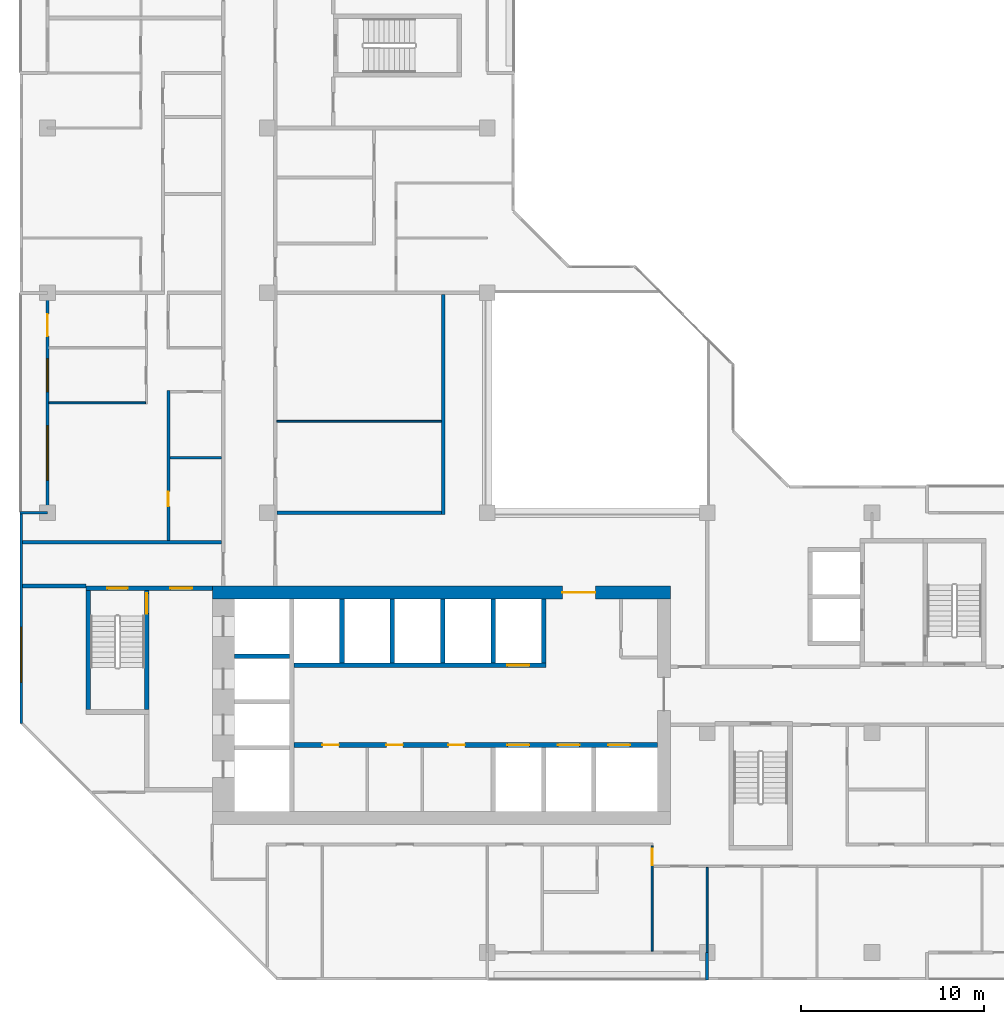
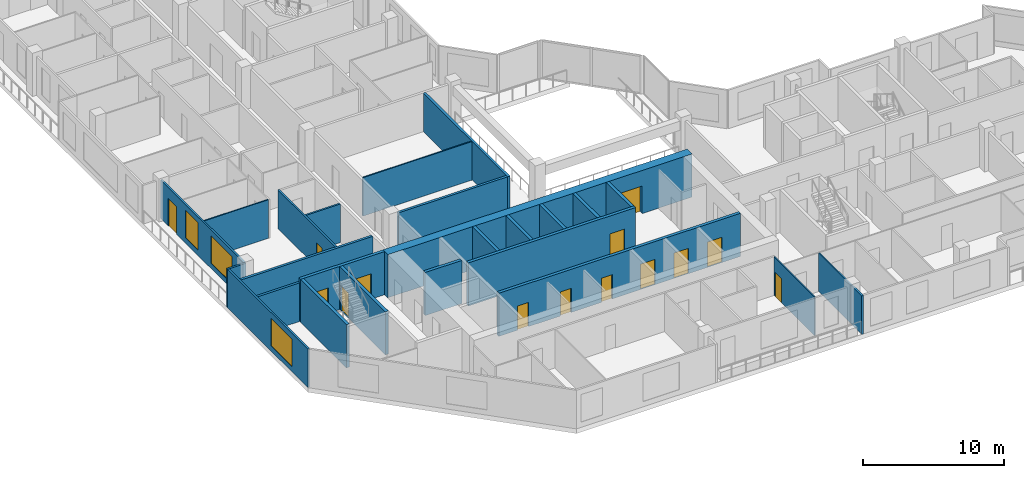
# One storey, part 5 of 14: 26 walls, 14 doors, 3 windows, 17 openings.
"""IFC4 building model written with IfcOpenShell, lengths in metres."""

import ifcopenshell
import ifcopenshell.guid

model = None  # the IFC model being written
_history = None  # IfcOwnerHistory: only IFC2X3 demands one
_inside = {}  # id of a spatial element -> (the spatial element, [elements in it])
_under = {}  # id of a project, library or spatial element -> (it, [spatial elements below it])
_declared = {}  # id of a project -> (the project, [libraries it declares])
_typed = {}  # id of a type object -> (the type object, [elements of that type])
_made_of = {}  # id of a material, layer set ... -> (it, [elements and type objects made of it])


def new_model(schema):
    """Start an empty IFC model of exactly this schema.

    Asked for "IFC4X3", IfcOpenShell would pick the latest addendum, in which some entities
    have other attributes; the version numbers below select the first issue.
    IFC2X3 requires an IfcOwnerHistory on every rooted entity: one is made here for all.
    """
    global model, _history
    if schema == "IFC4X3":
        model = ifcopenshell.file(schema_version=(4, 3, 0, 0))
    else:
        model = ifcopenshell.file(schema=schema)
    _inside.clear()
    _under.clear()
    _declared.clear()
    _typed.clear()
    _made_of.clear()
    _history = None
    if model.schema == "IFC2X3":
        org = make("IfcOrganization", Name="unknown")
        user = make(
            "IfcPersonAndOrganization",
            ThePerson=make("IfcPerson", FamilyName="unknown"),
            TheOrganization=org,
        )
        app = make(
            "IfcApplication",
            ApplicationDeveloper=org,
            Version="unknown",
            ApplicationFullName="unknown",
            ApplicationIdentifier="unknown",
        )
        _history = make(
            "IfcOwnerHistory",
            OwningUser=user,
            OwningApplication=app,
            ChangeAction="ADDED",
            CreationDate=0,
        )
    return model


def make(cls, **values):
    """One entity of the class cls with the attributes given. An attribute that is None is left unset."""
    return model.create_entity(
        cls, **{name: value for name, value in values.items() if value is not None}
    )


def rooted(cls, **values):
    """An entity with a GlobalId (a new one), such as an element, a storey or a relation."""
    return make(cls, GlobalId=ifcopenshell.guid.new(), OwnerHistory=_history, **values)


def si_unit(unit_type, name, prefix=None):
    """IfcSIUnit, for example si_unit("LENGTHUNIT", "METRE", prefix="MILLI")."""
    return make("IfcSIUnit", UnitType=unit_type, Prefix=prefix, Name=name)


def assignment(units):
    """IfcUnitAssignment: the units of a project."""
    return None if units is None else make("IfcUnitAssignment", Units=units)


def point(xyz):
    """IfcCartesianPoint."""
    return None if xyz is None else make("IfcCartesianPoint", Coordinates=xyz)


def direction(xyz):
    """IfcDirection."""
    return None if xyz is None else make("IfcDirection", DirectionRatios=xyz)


def frame(location, z_axis=None, x_axis=None):
    """IfcAxis2Placement3D, a coordinate frame: its origin and axes. An axis left out is left unset."""
    return make(
        "IfcAxis2Placement3D",
        Location=point(location),
        Axis=direction(z_axis),
        RefDirection=direction(x_axis),
    )


def frame_2d(location, x_axis=None):
    """IfcAxis2Placement2D, a coordinate frame in the plane: its origin and x axis."""
    return make(
        "IfcAxis2Placement2D", Location=point(location), RefDirection=direction(x_axis)
    )


def origin():
    """The frame at (0, 0, 0) with its axes left unset."""
    return frame((0.0, 0.0, 0.0))


def place(relative_to, where):
    """IfcLocalPlacement: puts the frame where relative to a parent placement (None: the world)."""
    return make(
        "IfcLocalPlacement", PlacementRelTo=relative_to, RelativePlacement=where
    )


def context(
    kind, dimensions, precision=None, world=None, true_north=None, identifier=None
):
    """IfcGeometricRepresentationContext, for example the 3D "Model" context."""
    return make(
        "IfcGeometricRepresentationContext",
        ContextIdentifier=identifier,
        ContextType=kind,
        CoordinateSpaceDimension=dimensions,
        Precision=precision,
        WorldCoordinateSystem=world,
        TrueNorth=true_north,
    )


def subcontext(parent, identifier, kind, view, scale=None):
    """IfcGeometricRepresentationSubContext, for example "Body" below "Model"."""
    return make(
        "IfcGeometricRepresentationSubContext",
        ContextIdentifier=identifier,
        ContextType=kind,
        ParentContext=parent,
        TargetScale=scale,
        TargetView=view,
    )


def project(units=None, contexts=None):
    """IfcProject with its units and contexts."""
    return rooted(
        "IfcProject",
        Name="project",
        RepresentationContexts=contexts,
        UnitsInContext=assignment(units),
    )


def spatial(cls, under=None, at=None, **own):
    """A site, building, storey or space (cls), placed at a placement, below another one or the project."""
    s = rooted(cls, ObjectPlacement=at, **own)
    if under is not None:
        _under.setdefault(under.id(), (under, []))[1].append(s)
    return s


def profile(cls, at=None, kind="AREA", **sizes):
    """A parametric profile (cls). Its sizes go by their IFC names, for example OverallWidth=200.0."""
    return make(cls, ProfileType=kind, Position=at, **sizes)


def rectangle(**sizes):
    """IfcRectangleProfileDef."""
    return profile("IfcRectangleProfileDef", **sizes)


def extrude(swept, where, along, depth):
    """IfcExtrudedAreaSolid: the profile swept, set in the frame where, extruded along a direction by depth."""
    return make(
        "IfcExtrudedAreaSolid",
        SweptArea=swept,
        Position=where,
        ExtrudedDirection=direction(along),
        Depth=depth,
    )


def shape(context_of_items, identifier, shape_type, items):
    """IfcShapeRepresentation: the items that make up one representation, for example the "Body"."""
    return make(
        "IfcShapeRepresentation",
        ContextOfItems=context_of_items,
        RepresentationIdentifier=identifier,
        RepresentationType=shape_type,
        Items=items,
    )


def material(Name=None, Category=None):
    """IfcMaterial."""
    return make("IfcMaterial", Name=Name, Category=Category)


def layer(
    of_material, thickness, ventilated=None, Name=None, Category=None, Priority=None
):
    """IfcMaterialLayer: one layer of a wall or slab, of a material (None: an air gap)."""
    return make(
        "IfcMaterialLayer",
        Material=of_material,
        LayerThickness=thickness,
        IsVentilated=ventilated,
        Name=Name,
        Category=Category,
        Priority=Priority,
    )


def layer_set(layers, Name=None):
    """IfcMaterialLayerSet."""
    return make("IfcMaterialLayerSet", MaterialLayers=layers, LayerSetName=Name)


def made_of(thing, what):
    """Note that an element or type object is made of a material, layer set ...; save() writes the relation."""
    if what is not None:
        _made_of.setdefault(what.id(), (what, []))[1].append(thing)
    return thing


def type_object(cls, material=None, **own):
    """A type object (cls), such as IfcWallType, which elements share."""
    return made_of(rooted(cls, **own), material)


def element(
    cls,
    number,
    at=None,
    inside=None,
    cuts=None,
    type_object=None,
    material=None,
    context=None,
    identifier="Body",
    shape_type=None,
    held_by="IfcProductDefinitionShape",
    body=None,
    shapes=None,
    **own,
):
    """One element of the class cls, such as IfcWall. Its Tag is "e" and its number.

    at: its placement. inside: the storey or other place that contains it. cuts: it is an
    opening in that element (IfcRelVoidsElement). A single representation is given by context,
    identifier, shape_type and body (its items); several are given by shapes. held_by: the class
    of the entity that holds the representations. save() writes the other relations.
    """
    e = rooted(cls, Tag="e%d" % number, ObjectPlacement=at, **own)
    if body is not None:
        shapes = [shape(context, identifier, shape_type, body)]
    if shapes is not None:
        e.Representation = make(held_by, Representations=shapes)
    if inside is not None:
        _inside.setdefault(inside.id(), (inside, []))[1].append(e)
    if cuts is not None:
        rooted(
            "IfcRelVoidsElement", RelatingBuildingElement=cuts, RelatedOpeningElement=e
        )
    if type_object is not None:
        _typed.setdefault(type_object.id(), (type_object, []))[1].append(e)
    return made_of(e, material)


def fill(opening, filler):
    """IfcRelFillsElement: the door or window that sits in an opening."""
    return rooted(
        "IfcRelFillsElement",
        RelatingOpeningElement=opening,
        RelatedBuildingElement=filler,
    )


def aggregate(whole, parts):
    """IfcRelAggregates: a whole, such as a stair, and the parts it consists of."""
    return rooted("IfcRelAggregates", RelatingObject=whole, RelatedObjects=parts)


def save(model, path):
    """Write the relations noted so far, then the file.

    IfcRelAggregates (storeys below a building ...), IfcRelContainedInSpatialStructure (elements
    in a storey), IfcRelDefinesByType, IfcRelAssociatesMaterial and IfcRelDeclares: one each for
    every whole, place, type object, material and project.
    """
    for whole, parts in _under.values():
        aggregate(whole, parts)
    for where, things in _inside.values():
        rooted(
            "IfcRelContainedInSpatialStructure",
            RelatedElements=things,
            RelatingStructure=where,
        )
    for kind, things in _typed.values():
        rooted("IfcRelDefinesByType", RelatedObjects=things, RelatingType=kind)
    for what, things in _made_of.values():
        rooted("IfcRelAssociatesMaterial", RelatedObjects=things, RelatingMaterial=what)
    for by, libraries in _declared.values():
        rooted("IfcRelDeclares", RelatingContext=by, RelatedDefinitions=libraries)
    model.write(path)


model = new_model("IFC4")

# Units and contexts
model_context = context("Model", 3, precision=1e-05, world=origin(), true_north=direction((0.0, 1.0)))
body_context = subcontext(model_context, "Body", "Model", "MODEL_VIEW")
ifc_project = project(units=[si_unit("LENGTHUNIT", "METRE"), si_unit("AREAUNIT", "SQUARE_METRE"), si_unit("VOLUMEUNIT", "CUBIC_METRE"), si_unit("PLANEANGLEUNIT", "RADIAN"), si_unit("MASSUNIT", "GRAM", prefix="KILO")], contexts=[model_context])

# Site, building, storey
site_placement = place(None, origin())
site = spatial("IfcSite", under=ifc_project, at=site_placement, CompositionType="ELEMENT")
building_placement = place(site_placement, origin())
building = spatial("IfcBuilding", under=site, at=building_placement, Name="Chenar Terraces", CompositionType="ELEMENT")
storey_placement = place(building_placement, frame((0.0, 0.0, 237.89990234375)))
storey = spatial("IfcBuildingStorey", under=building, at=storey_placement, Name="L56", CompositionType="ELEMENT", Elevation=237.89990234375)

# Wall, openings, doors
ifc_material_1 = material(Name="Concrete C60/75", Category="concrete")
ifc_layer_1 = layer(ifc_material_1, 0.25)
ifc_layer_set_1 = layer_set([ifc_layer_1], Name="Concrete C60/75")
wall_type_1 = type_object("IfcWallType", Name="Core wall 250 Concrete C60/75", PredefinedType="SHEAR", material=ifc_layer_set_1)
wall_1_placement = place(storey_placement, frame((13.449951171875, 11.324951171875, 0.0), z_axis=(0.0, 0.0, 1.0), x_axis=(1.0, 0.0, 0.0)))
wall_1 = element("IfcWall", 1, at=wall_1_placement, inside=storey, type_object=wall_type_1, Name="Core wall SF L56", PredefinedType="SHEAR", context=body_context, shape_type="SweptSolid", body=[
    extrude(rectangle(XDim=19.85009765625, YDim=0.25, at=frame_2d((9.925048828125, 0.0))), origin(), (0.0, 0.0, 1.0), 3.75),
])
opening_1_placement = place(wall_1_placement, frame((11.64990234375, 0.0, 0.0)))
opening_1 = element("IfcOpeningElement", 2, at=opening_1_placement, cuts=wall_1, Name="Opening DL56-LD1", PredefinedType="OPENING", context=body_context, shape_type="SweptSolid", body=[
    extrude(rectangle(XDim=1.199951171875, YDim=2.199951171875, at=frame_2d((0.60009765625, 1.10009765625))), frame((0.0, 0.135009765625, 0.0), z_axis=(0.0, -1.0, 0.0), x_axis=(1.0, 0.0, 0.0)), (0.0, 0.0, 1.0), 0.27001953125),
])
opening_2_placement = place(wall_1_placement, frame((14.39990234375, 0.0, 0.0)))
opening_2 = element("IfcOpeningElement", 3, at=opening_2_placement, cuts=wall_1, Name="Opening DL56-LD2", PredefinedType="OPENING", context=body_context, shape_type="SweptSolid", body=[
    extrude(rectangle(XDim=1.199951171875, YDim=2.199951171875, at=frame_2d((0.60009765625, 1.10009765625))), frame((0.0, 0.135009765625, 0.0), z_axis=(0.0, -1.0, 0.0), x_axis=(1.0, 0.0, 0.0)), (0.0, 0.0, 1.0), 0.27001953125),
])
opening_3_placement = place(wall_1_placement, frame((17.14990234375, 0.0, 0.0)))
opening_3 = element("IfcOpeningElement", 4, at=opening_3_placement, cuts=wall_1, Name="Opening DL56-LD3", PredefinedType="OPENING", context=body_context, shape_type="SweptSolid", body=[
    extrude(rectangle(XDim=1.199951171875, YDim=2.199951171875, at=frame_2d((0.60009765625, 1.10009765625))), frame((0.0, 0.135009765625, 0.0), z_axis=(0.0, -1.0, 0.0), x_axis=(1.0, 0.0, 0.0)), (0.0, 0.0, 1.0), 0.27001953125),
])
opening_4_placement = place(wall_1_placement, frame((1.550048828125, 0.0, 0.0)))
opening_4 = element("IfcOpeningElement", 5, at=opening_4_placement, cuts=wall_1, Name="Opening DL56-C12", PredefinedType="OPENING", context=body_context, shape_type="SweptSolid", body=[
    extrude(rectangle(XDim=0.89990234375, YDim=2.10009765625, at=frame_2d((0.449951171875, 1.050048828125))), frame((0.0, 0.135009765625, 0.0), z_axis=(0.0, -1.0, 0.0), x_axis=(1.0, 0.0, 0.0)), (0.0, 0.0, 1.0), 0.27001953125),
])
opening_5_placement = place(wall_1_placement, frame((5.050048828125, 0.0, 0.0)))
opening_5 = element("IfcOpeningElement", 6, at=opening_5_placement, cuts=wall_1, Name="Opening DL56-C13", PredefinedType="OPENING", context=body_context, shape_type="SweptSolid", body=[
    extrude(rectangle(XDim=0.89990234375, YDim=2.10009765625, at=frame_2d((0.449951171875, 1.050048828125))), frame((0.0, 0.135009765625, 0.0), z_axis=(0.0, -1.0, 0.0), x_axis=(1.0, 0.0, 0.0)), (0.0, 0.0, 1.0), 0.27001953125),
])
opening_6_placement = place(wall_1_placement, frame((8.425048828125, 0.0, 0.0)))
opening_6 = element("IfcOpeningElement", 7, at=opening_6_placement, cuts=wall_1, Name="Opening DL56-C14", PredefinedType="OPENING", context=body_context, shape_type="SweptSolid", body=[
    extrude(rectangle(XDim=0.89990234375, YDim=2.10009765625, at=frame_2d((0.449951171875, 1.050048828125))), frame((0.0, 0.135009765625, 0.0), z_axis=(0.0, -1.0, 0.0), x_axis=(1.0, 0.0, 0.0)), (0.0, 0.0, 1.0), 0.27001953125),
])
ifc_material_2 = material(Name="Stainless steel", Category="steel")
door_type_1 = type_object("IfcDoorType", Name="Lift landing door 1200 x 2200 sliding", OperationType="DOUBLE_DOOR_SLIDING", PredefinedType="DOOR", material=ifc_material_2)
door_1_placement = place(opening_1_placement, origin())
door_1 = element("IfcDoor", 8, at=door_1_placement, inside=storey, type_object=door_type_1, Name="Landing door M1", OperationType="DOUBLE_DOOR_SLIDING", OverallHeight=2.199951171875, OverallWidth=1.199951171875, PredefinedType="DOOR", context=body_context, shape_type="SweptSolid", body=[
    extrude(rectangle(XDim=1.199951171875, YDim=2.199951171875, at=frame_2d((0.60009765625, 1.10009765625))), frame((0.0, 0.02490234375, 0.0), z_axis=(0.0, -1.0, 0.0), x_axis=(1.0, 0.0, 0.0)), (0.0, 0.0, 1.0), 0.050048828125),
])
fill(opening_1, door_1)
door_2_placement = place(opening_2_placement, origin())
door_2 = element("IfcDoor", 9, at=door_2_placement, inside=storey, type_object=door_type_1, Name="Landing door M2", OperationType="DOUBLE_DOOR_SLIDING", OverallHeight=2.199951171875, OverallWidth=1.199951171875, PredefinedType="DOOR", context=body_context, shape_type="SweptSolid", body=[
    extrude(rectangle(XDim=1.199951171875, YDim=2.199951171875, at=frame_2d((0.60009765625, 1.10009765625))), frame((0.0, 0.02490234375, 0.0), z_axis=(0.0, -1.0, 0.0), x_axis=(1.0, 0.0, 0.0)), (0.0, 0.0, 1.0), 0.050048828125),
])
fill(opening_2, door_2)
door_3_placement = place(opening_3_placement, origin())
door_3 = element("IfcDoor", 10, at=door_3_placement, inside=storey, type_object=door_type_1, Name="Landing door M3", OperationType="DOUBLE_DOOR_SLIDING", OverallHeight=2.199951171875, OverallWidth=1.199951171875, PredefinedType="DOOR", context=body_context, shape_type="SweptSolid", body=[
    extrude(rectangle(XDim=1.199951171875, YDim=2.199951171875, at=frame_2d((0.60009765625, 1.10009765625))), frame((0.0, 0.02490234375, 0.0), z_axis=(0.0, -1.0, 0.0), x_axis=(1.0, 0.0, 0.0)), (0.0, 0.0, 1.0), 0.050048828125),
])
fill(opening_3, door_3)
ifc_material_3 = material(Name="Steel-framed fire-resisting door leaf", Category="steel")
door_type_2 = type_object("IfcDoorType", Name="Riser fire door FD60 900 x 2100", OperationType="SINGLE_SWING_LEFT", PredefinedType="DOOR", material=ifc_material_3)
door_4_placement = place(opening_4_placement, frame((0.89990234375, 0.0, 0.0), z_axis=(0.0, 0.0, 1.0), x_axis=(-1.0, 0.0, 0.0)))
door_4 = element("IfcDoor", 11, at=door_4_placement, inside=storey, type_object=door_type_2, Name="Core room door DL56-C12", OperationType="SINGLE_SWING_LEFT", OverallHeight=2.10009765625, OverallWidth=0.89990234375, PredefinedType="DOOR", context=body_context, shape_type="SweptSolid", body=[
    extrude(rectangle(XDim=0.89990234375, YDim=2.10009765625, at=frame_2d((0.449951171875, 1.050048828125))), frame((0.0, 0.02490234375, 0.0), z_axis=(0.0, -1.0, 0.0), x_axis=(1.0, 0.0, 0.0)), (0.0, 0.0, 1.0), 0.050048828125),
])
fill(opening_4, door_4)
door_5_placement = place(opening_5_placement, frame((0.89990234375, 0.0, 0.0), z_axis=(0.0, 0.0, 1.0), x_axis=(-1.0, 0.0, 0.0)))
door_5 = element("IfcDoor", 12, at=door_5_placement, inside=storey, type_object=door_type_2, Name="Core room door DL56-C13", OperationType="SINGLE_SWING_LEFT", OverallHeight=2.10009765625, OverallWidth=0.89990234375, PredefinedType="DOOR", context=body_context, shape_type="SweptSolid", body=[
    extrude(rectangle(XDim=0.89990234375, YDim=2.10009765625, at=frame_2d((0.449951171875, 1.050048828125))), frame((0.0, 0.02490234375, 0.0), z_axis=(0.0, -1.0, 0.0), x_axis=(1.0, 0.0, 0.0)), (0.0, 0.0, 1.0), 0.050048828125),
])
fill(opening_5, door_5)
door_6_placement = place(opening_6_placement, frame((0.89990234375, 0.0, 0.0), z_axis=(0.0, 0.0, 1.0), x_axis=(-1.0, 0.0, 0.0)))
door_6 = element("IfcDoor", 13, at=door_6_placement, inside=storey, type_object=door_type_2, Name="Core room door DL56-C14", OperationType="SINGLE_SWING_RIGHT", OverallHeight=2.10009765625, OverallWidth=0.89990234375, PredefinedType="DOOR", context=body_context, shape_type="SweptSolid", body=[
    extrude(rectangle(XDim=0.89990234375, YDim=2.10009765625, at=frame_2d((0.449951171875, 1.050048828125))), frame((0.0, 0.02490234375, 0.0), z_axis=(0.0, -1.0, 0.0), x_axis=(1.0, 0.0, 0.0)), (0.0, 0.0, 1.0), 0.050048828125),
])
fill(opening_6, door_6)

# Wall, opening, door
wall_2_placement = place(storey_placement, frame((13.449951171875, 15.675048828125, 0.0), z_axis=(0.0, 0.0, 1.0), x_axis=(1.0, 0.0, 0.0)))
wall_2 = element("IfcWall", 14, at=wall_2_placement, inside=storey, type_object=wall_type_1, Name="Core wall NF L56", PredefinedType="SHEAR", context=body_context, shape_type="SweptSolid", body=[
    extrude(rectangle(XDim=13.75, YDim=0.25, at=frame_2d((6.875, 0.0))), origin(), (0.0, 0.0, 1.0), 3.75),
])
opening_7_placement = place(wall_2_placement, frame((11.64990234375, 0.0, 0.0)))
opening_7 = element("IfcOpeningElement", 15, at=opening_7_placement, cuts=wall_2, Name="Opening DL56-LD4", PredefinedType="OPENING", context=body_context, shape_type="SweptSolid", body=[
    extrude(rectangle(XDim=1.199951171875, YDim=2.199951171875, at=frame_2d((0.60009765625, 1.10009765625))), frame((0.0, 0.135009765625, 0.0), z_axis=(0.0, -1.0, 0.0), x_axis=(1.0, 0.0, 0.0)), (0.0, 0.0, 1.0), 0.27001953125),
])
door_7_placement = place(opening_7_placement, origin())
door_7 = element("IfcDoor", 16, at=door_7_placement, inside=storey, type_object=door_type_1, Name="Landing door M4", OperationType="DOUBLE_DOOR_SLIDING", OverallHeight=2.199951171875, OverallWidth=1.199951171875, PredefinedType="DOOR", context=body_context, shape_type="SweptSolid", body=[
    extrude(rectangle(XDim=1.199951171875, YDim=2.199951171875, at=frame_2d((0.60009765625, 1.10009765625))), frame((0.0, 0.02490234375, 0.0), z_axis=(0.0, -1.0, 0.0), x_axis=(1.0, 0.0, 0.0)), (0.0, 0.0, 1.0), 0.050048828125),
])
fill(opening_7, door_7)

# Walls
wall_3_placement = place(storey_placement, frame((10.199951171875, 16.175048828125, 0.0), z_axis=(0.0, 0.0, 1.0), x_axis=(1.0, 0.0, 0.0)))
element("IfcWall", 17, at=wall_3_placement, inside=storey, type_object=wall_type_1, Name="Core wall HW2 L56", PredefinedType="SHEAR", context=body_context, shape_type="SweptSolid", body=[
    extrude(rectangle(XDim=3.0, YDim=0.25, at=frame_2d((1.5, 0.0))), origin(), (0.0, 0.0, 1.0), 3.75),
])
for number, where, z_axis, x_axis, name in (
    (18, (16.074951171875, 15.800048828125, 0.0), (0.0, 0.0, 1.0), (0.0, 1.0, 0.0), "Core wall NS0 L56"),
    (19, (18.824951171875, 15.800048828125, 0.0), (0.0, 0.0, 1.0), (0.0, 1.0, 0.0), "Core wall NS1 L56"),
    (20, (21.574951171875, 15.800048828125, 0.0), (0.0, 0.0, 1.0), (0.0, 1.0, 0.0), "Core wall NS2 L56"),
    (21, (24.324951171875, 15.800048828125, 0.0), (0.0, 0.0, 1.0), (0.0, 1.0, 0.0), "Core wall NS3 L56"),
    (22, (27.074951171875, 15.800048828125, 0.0), (0.0, 0.0, 1.0), (0.0, 1.0, 0.0), "Core wall NE L56"),
):
    element("IfcWall", number, at=place(storey_placement, frame(where, z_axis=z_axis, x_axis=x_axis)), inside=storey, type_object=wall_type_1, Name=name, PredefinedType="SHEAR", context=body_context, shape_type="SweptSolid", body=[
        extrude(rectangle(XDim=3.5, YDim=0.25, at=frame_2d((1.75, 0.0))), origin(), (0.0, 0.0, 1.0), 3.75),
    ])

# Wall, openings, doors
wall_4_placement = place(storey_placement, frame((2.10009765625, 19.875, 0.0), z_axis=(0.0, 0.0, 1.0), x_axis=(1.0, 0.0, 0.0)))
wall_4 = element("IfcWall", 23, at=wall_4_placement, inside=storey, type_object=wall_type_1, Name="Core wall A_N L56", PredefinedType="SHEAR", context=body_context, shape_type="SweptSolid", body=[
    extrude(rectangle(XDim=6.89990234375, YDim=0.25, at=frame_2d((3.449951171875, 0.0))), origin(), (0.0, 0.0, 1.0), 3.75),
])
opening_8_placement = place(wall_4_placement, frame((1.175048828125, 0.0, 0.0)))
opening_8 = element("IfcOpeningElement", 24, at=opening_8_placement, cuts=wall_4, Name="Opening DL56-C5", PredefinedType="OPENING", context=body_context, shape_type="SweptSolid", body=[
    extrude(rectangle(XDim=1.10009765625, YDim=2.199951171875, at=frame_2d((0.550048828125, 1.10009765625))), frame((0.0, 0.135009765625, 0.0), z_axis=(0.0, -1.0, 0.0), x_axis=(1.0, 0.0, 0.0)), (0.0, 0.0, 1.0), 0.27001953125),
])
opening_9_placement = place(wall_4_placement, frame((4.60009765625, 0.0, 0.0)))
opening_9 = element("IfcOpeningElement", 25, at=opening_9_placement, cuts=wall_4, Name="Opening DL56-C6", PredefinedType="OPENING", context=body_context, shape_type="SweptSolid", body=[
    extrude(rectangle(XDim=1.199951171875, YDim=2.199951171875, at=frame_2d((0.60009765625, 1.10009765625))), frame((0.0, 0.135009765625, 0.0), z_axis=(0.0, -1.0, 0.0), x_axis=(1.0, 0.0, 0.0)), (0.0, 0.0, 1.0), 0.27001953125),
])
ifc_material_4 = material(Name="Steel-framed fire-resisting door leaf", Category="steel")
door_type_3 = type_object("IfcDoorType", Name="Lobby fire door FD60 1200 x 2200", OperationType="SINGLE_SWING_LEFT", PredefinedType="DOOR", material=ifc_material_4)
door_8_placement = place(opening_9_placement, frame((1.199951171875, 0.0, 0.0), z_axis=(0.0, 0.0, 1.0), x_axis=(-1.0, 0.0, 0.0)))
door_8 = element("IfcDoor", 26, at=door_8_placement, inside=storey, type_object=door_type_3, Name="Core door DL56-C6", OperationType="SINGLE_SWING_LEFT", OverallHeight=2.199951171875, OverallWidth=1.199951171875, PredefinedType="DOOR", context=body_context, shape_type="SweptSolid", body=[
    extrude(rectangle(XDim=1.199951171875, YDim=2.199951171875, at=frame_2d((0.60009765625, 1.10009765625))), frame((0.0, 0.02490234375, 0.0), z_axis=(0.0, -1.0, 0.0), x_axis=(1.0, 0.0, 0.0)), (0.0, 0.0, 1.0), 0.050048828125),
])
fill(opening_9, door_8)
ifc_material_5 = material(Name="Steel-framed fire-resisting door leaf", Category="steel")
door_type_4 = type_object("IfcDoorType", Name="Stair fire door FD60 1100 x 2200", OperationType="SINGLE_SWING_LEFT", PredefinedType="DOOR", material=ifc_material_5)
door_9_placement = place(opening_8_placement, origin())
door_9 = element("IfcDoor", 27, at=door_9_placement, inside=storey, type_object=door_type_4, Name="Stair door DL56-C5", OperationType="SINGLE_SWING_LEFT", OverallHeight=2.199951171875, OverallWidth=1.10009765625, PredefinedType="DOOR", context=body_context, shape_type="SweptSolid", body=[
    extrude(rectangle(XDim=1.10009765625, YDim=2.199951171875, at=frame_2d((0.550048828125, 1.10009765625))), frame((0.0, 0.02490234375, 0.0), z_axis=(0.0, -1.0, 0.0), x_axis=(1.0, 0.0, 0.0)), (0.0, 0.0, 1.0), 0.050048828125),
])
fill(opening_8, door_9)

# Wall
wall_5_placement = place(storey_placement, frame((2.22509765625, 13.25, 0.0), z_axis=(0.0, 0.0, 1.0), x_axis=(0.0, 1.0, 0.0)))
element("IfcWall", 28, at=wall_5_placement, inside=storey, type_object=wall_type_1, Name="Core wall ST1_W L56", PredefinedType="SHEAR", context=body_context, shape_type="SweptSolid", body=[
    extrude(rectangle(XDim=6.5, YDim=0.25, at=frame_2d((3.25, 0.0))), origin(), (0.0, 0.0, 1.0), 3.75),
])

# Wall, opening, door
wall_6_placement = place(storey_placement, frame((5.425048828125, 13.25, 0.0), z_axis=(0.0, 0.0, 1.0), x_axis=(0.0, 1.0, 0.0)))
wall_6 = element("IfcWall", 29, at=wall_6_placement, inside=storey, type_object=wall_type_1, Name="Core wall ST1_E L56", PredefinedType="SHEAR", context=body_context, shape_type="SweptSolid", body=[
    extrude(rectangle(XDim=6.5, YDim=0.25, at=frame_2d((3.25, 0.0))), origin(), (0.0, 0.0, 1.0), 3.75),
])
opening_10_placement = place(wall_6_placement, frame((5.25, 0.0, 0.0)))
opening_10 = element("IfcOpeningElement", 30, at=opening_10_placement, cuts=wall_6, Name="Opening DL56-C3", PredefinedType="OPENING", context=body_context, shape_type="SweptSolid", body=[
    extrude(rectangle(XDim=1.10009765625, YDim=2.199951171875, at=frame_2d((0.550048828125, 1.10009765625))), frame((0.0, 0.135009765625, 0.0), z_axis=(0.0, -1.0, 0.0), x_axis=(1.0, 0.0, 0.0)), (0.0, 0.0, 1.0), 0.27001953125),
])
door_10_placement = place(opening_10_placement, origin())
door_10 = element("IfcDoor", 31, at=door_10_placement, inside=storey, type_object=door_type_4, Name="Stair door DL56-C3", OperationType="SINGLE_SWING_RIGHT", OverallHeight=2.199951171875, OverallWidth=1.10009765625, PredefinedType="DOOR", context=body_context, shape_type="SweptSolid", body=[
    extrude(rectangle(XDim=1.10009765625, YDim=2.199951171875, at=frame_2d((0.550048828125, 1.10009765625))), frame((0.0, 0.02490234375, 0.0), z_axis=(0.0, -1.0, 0.0), x_axis=(1.0, 0.0, 0.0)), (0.0, 0.0, 1.0), 0.050048828125),
])
fill(opening_10, door_10)

ifc_material_6 = material(Name="Concrete C60/75", Category="concrete")
ifc_layer_2 = layer(ifc_material_6, 0.699951171875)
ifc_layer_set_2 = layer_set([ifc_layer_2], Name="Concrete C60/75")
wall_type_2 = type_object("IfcWallType", Name="Core wall 700 Concrete C60/75", PredefinedType="SHEAR", material=ifc_layer_set_2)
wall_7_placement = place(storey_placement, frame((9.0, 19.64990234375, 0.0), z_axis=(0.0, 0.0, 1.0), x_axis=(1.0, 0.0, 0.0)))
wall_7 = element("IfcWall", 32, at=wall_7_placement, inside=storey, type_object=wall_type_2, Name="Core wall N L56", PredefinedType="SHEAR", context=body_context, shape_type="SweptSolid", body=[
    extrude(rectangle(XDim=25.0, YDim=0.699951171875, at=frame_2d((12.5, 0.0))), origin(), (0.0, 0.0, 1.0), 3.75),
])
opening_11_placement = place(wall_7_placement, frame((19.10009765625, 0.0, 0.0)))
opening_11 = element("IfcOpeningElement", 33, at=opening_11_placement, cuts=wall_7, Name="Opening DL56-C2", PredefinedType="OPENING", context=body_context, shape_type="SweptSolid", body=[
    extrude(rectangle(XDim=1.800048828125, YDim=2.39990234375, at=frame_2d((0.89990234375, 1.199951171875))), frame((0.0, 0.35986328125, 0.0), z_axis=(0.0, -1.0, 0.0), x_axis=(1.0, 0.0, 0.0)), (0.0, 0.0, 1.0), 0.719970703125),
])
ifc_material_7 = material(Name="Steel-framed fire-resisting door leaf", Category="steel")
door_type_5 = type_object("IfcDoorType", Name="Core entrance double fire door FD60 1800 x 2400", OperationType="DOUBLE_DOOR_SINGLE_SWING", PredefinedType="DOOR", material=ifc_material_7)
door_11_placement = place(opening_11_placement, frame((1.800048828125, 0.0, 0.0), z_axis=(0.0, 0.0, 1.0), x_axis=(-1.0, 0.0, 0.0)))
door_11 = element("IfcDoor", 34, at=door_11_placement, inside=storey, type_object=door_type_5, Name="Core door DL56-C2", OperationType="DOUBLE_DOOR_SINGLE_SWING", OverallHeight=2.39990234375, OverallWidth=1.800048828125, PredefinedType="DOOR", context=body_context, shape_type="SweptSolid", body=[
    extrude(rectangle(XDim=1.800048828125, YDim=2.39990234375, at=frame_2d((0.89990234375, 1.199951171875))), frame((0.0, 0.02490234375, 0.0), z_axis=(0.0, -1.0, 0.0), x_axis=(1.0, 0.0, 0.0)), (0.0, 0.0, 1.0), 0.050048828125),
])
fill(opening_11, door_11)

# Walls
ifc_material_8 = material(Name="Gypsum board on steel studs with fire boards", Category="steel")
ifc_layer_3 = layer(ifc_material_8, 0.199951171875)
ifc_layer_set_3 = layer_set([ifc_layer_3], Name="Gypsum board on steel studs with fire boards")
wall_type_3 = type_object("IfcWallType", Name="Corridor wall 200", PredefinedType="PARTITIONING", material=ifc_layer_set_3)
wall_8_placement = place(storey_placement, frame((-1.35009765625, 20.0, 0.0), z_axis=(0.0, 0.0, 1.0), x_axis=(1.0, 0.0, 0.0)))
element("IfcWall", 35, at=wall_8_placement, inside=storey, type_object=wall_type_3, Name="Partition L56-001", PredefinedType="PARTITIONING", context=body_context, shape_type="SweptSolid", body=[
    extrude(rectangle(XDim=3.4501953125, YDim=0.199951171875, at=frame_2d((1.72509765625, 0.0))), origin(), (0.0, 0.0, 1.0), 3.35009765625),
])
wall_9_placement = place(storey_placement, frame((-1.35009765625, 22.39990234375, 0.0), z_axis=(0.0, 0.0, 1.0), x_axis=(1.0, 0.0, 0.0)))
element("IfcWall", 36, at=wall_9_placement, inside=storey, type_object=wall_type_3, Name="Partition L56-002", PredefinedType="PARTITIONING", context=body_context, shape_type="SweptSolid", body=[
    extrude(rectangle(XDim=10.85009765625, YDim=0.199951171875, at=frame_2d((5.425048828125, 0.0))), origin(), (0.0, 0.0, 1.0), 3.35009765625),
])
wall_10_placement = place(storey_placement, frame((12.52490234375, 24.0, 0.0), z_axis=(0.0, 0.0, 1.0), x_axis=(1.0, 0.0, 0.0)))
element("IfcWall", 37, at=wall_10_placement, inside=storey, type_object=wall_type_3, Name="Partition L56-037", PredefinedType="PARTITIONING", context=body_context, shape_type="SweptSolid", body=[
    extrude(rectangle(XDim=8.97509765625, YDim=0.199951171875, at=frame_2d((4.487548828125, 0.0))), origin(), (0.0, 0.0, 1.0), 3.35009765625),
])
wall_11_placement = place(storey_placement, frame((21.60009765625, 23.89990234375, 0.0), z_axis=(0.0, 0.0, 1.0), x_axis=(0.0, 1.0, 0.0)))
element("IfcWall", 38, at=wall_11_placement, inside=storey, type_object=wall_type_3, Name="Partition L56-058", PredefinedType="PARTITIONING", context=body_context, shape_type="SweptSolid", body=[
    extrude(rectangle(XDim=12.0, YDim=0.199951171875, at=frame_2d((6.0, 0.0))), origin(), (0.0, 0.0, 1.0), 3.35009765625),
])

# Wall, opening, window
ifc_material_9 = material(Name="Aluminium framed glazing", Category="aluminium")
ifc_layer_4 = layer(ifc_material_9, 0.14990234375)
ifc_layer_set_4 = layer_set([ifc_layer_4], Name="Aluminium framed glazing")
wall_type_4 = type_object("IfcWallType", Name="Glazed flush facade wall 150", PredefinedType="SOLIDWALL", material=ifc_layer_set_4)
wall_12_placement = place(storey_placement, frame((-1.425048828125, 23.925048828125, 0.0), z_axis=(0.0, 0.0, 1.0), x_axis=(0.0, -1.0, 0.0)))
wall_12 = element("IfcWall", 39, at=wall_12_placement, inside=storey, type_object=wall_type_4, Name="Glazed flush facade wall", PredefinedType="SOLIDWALL", context=body_context, shape_type="SweptSolid", body=[
    extrude(rectangle(XDim=11.425048828125, YDim=0.14990234375, at=frame_2d((5.71240234375, 0.0))), origin(), (0.0, 0.0, 1.0), 3.35009765625),
])
opening_12_placement = place(wall_12_placement, frame((6.175048828125, 0.0, 0.449951171875)))
opening_12 = element("IfcOpeningElement", 40, at=opening_12_placement, cuts=wall_12, Name="Opening W300x240", PredefinedType="OPENING", context=body_context, shape_type="SweptSolid", body=[
    extrude(rectangle(XDim=3.0, YDim=2.39990234375, at=frame_2d((1.5, 1.199951171875))), frame((0.0, 0.0849609375, 0.0), z_axis=(0.0, -1.0, 0.0), x_axis=(1.0, 0.0, 0.0)), (0.0, 0.0, 1.0), 0.169921875),
])
ifc_material_10 = material(Name="Low emissivity double glazing, aluminium frame", Category="aluminium")
window_type_1 = type_object("IfcWindowType", Name="Fixed light 3000 x 2400", PartitioningType="SINGLE_PANEL", PredefinedType="WINDOW", material=ifc_material_10)
window_1_placement = place(opening_12_placement, origin())
window_1 = element("IfcWindow", 41, at=window_1_placement, inside=storey, type_object=window_type_1, Name="Window", OverallHeight=2.39990234375, OverallWidth=3.0, PartitioningType="SINGLE_PANEL", PredefinedType="WINDOW", context=body_context, shape_type="SweptSolid", body=[
    extrude(rectangle(XDim=3.0, YDim=2.39990234375, at=frame_2d((1.5, 1.199951171875))), frame((0.0, 0.030029296875, 0.0), z_axis=(0.0, -1.0, 0.0), x_axis=(1.0, 0.0, 0.0)), (0.0, 0.0, 1.0), 0.06005859375),
])
fill(opening_12, window_1)

# Wall, openings, windows, door
ifc_material_11 = material(Name="Aluminium framed glazing", Category="aluminium")
ifc_layer_5 = layer(ifc_material_11, 0.14990234375)
ifc_layer_set_5 = layer_set([ifc_layer_5], Name="Aluminium framed glazing")
wall_type_5 = type_object("IfcWallType", Name="Glazed loggia back wall 150", PredefinedType="SOLIDWALL", material=ifc_layer_set_5)
wall_13_placement = place(storey_placement, frame((0.0, 35.925048828125, 0.0), z_axis=(0.0, 0.0, 1.0), x_axis=(0.0, -1.0, 0.0)))
wall_13 = element("IfcWall", 42, at=wall_13_placement, inside=storey, type_object=wall_type_5, Name="Glazed loggia back wall", PredefinedType="SOLIDWALL", context=body_context, shape_type="SweptSolid", body=[
    extrude(rectangle(XDim=11.85009765625, YDim=0.14990234375, at=frame_2d((5.925048828125, 0.0))), origin(), (0.0, 0.0, 1.0), 3.35009765625),
])
opening_13_placement = place(wall_13_placement, frame((1.08740234375, 0.0, 0.0)))
opening_13 = element("IfcOpeningElement", 43, at=opening_13_placement, cuts=wall_13, Name="Opening DL56-G5", PredefinedType="OPENING", context=body_context, shape_type="SweptSolid", body=[
    extrude(rectangle(XDim=1.199951171875, YDim=2.39990234375, at=frame_2d((0.60009765625, 1.199951171875))), frame((0.0, 0.0849609375, 0.0), z_axis=(0.0, -1.0, 0.0), x_axis=(1.0, 0.0, 0.0)), (0.0, 0.0, 1.0), 0.169921875),
])
opening_14_placement = place(wall_13_placement, frame((3.52490234375, 0.0, 0.449951171875)))
opening_14 = element("IfcOpeningElement", 44, at=opening_14_placement, cuts=wall_13, Name="Opening W180x240", PredefinedType="OPENING", context=body_context, shape_type="SweptSolid", body=[
    extrude(rectangle(XDim=1.800048828125, YDim=2.39990234375, at=frame_2d((0.89990234375, 1.199951171875))), frame((0.0, 0.0849609375, 0.0), z_axis=(0.0, -1.0, 0.0), x_axis=(1.0, 0.0, 0.0)), (0.0, 0.0, 1.0), 0.169921875),
])
opening_15_placement = place(wall_13_placement, frame((7.16259765625, 0.0, 0.449951171875)))
opening_15 = element("IfcOpeningElement", 45, at=opening_15_placement, cuts=wall_13, Name="Opening W300x240", PredefinedType="OPENING", context=body_context, shape_type="SweptSolid", body=[
    extrude(rectangle(XDim=3.0, YDim=2.39990234375, at=frame_2d((1.5, 1.199951171875))), frame((0.0, 0.0849609375, 0.0), z_axis=(0.0, -1.0, 0.0), x_axis=(1.0, 0.0, 0.0)), (0.0, 0.0, 1.0), 0.169921875),
])
ifc_material_12 = material(Name="Low emissivity double glazing, aluminium frame", Category="aluminium")
window_type_2 = type_object("IfcWindowType", Name="Fixed light 1800 x 2400", PartitioningType="SINGLE_PANEL", PredefinedType="WINDOW", material=ifc_material_12)
window_2_placement = place(opening_14_placement, origin())
window_2 = element("IfcWindow", 46, at=window_2_placement, inside=storey, type_object=window_type_2, Name="Window", OverallHeight=2.39990234375, OverallWidth=1.800048828125, PartitioningType="SINGLE_PANEL", PredefinedType="WINDOW", context=body_context, shape_type="SweptSolid", body=[
    extrude(rectangle(XDim=1.800048828125, YDim=2.39990234375, at=frame_2d((0.89990234375, 1.199951171875))), frame((0.0, 0.030029296875, 0.0), z_axis=(0.0, -1.0, 0.0), x_axis=(1.0, 0.0, 0.0)), (0.0, 0.0, 1.0), 0.06005859375),
])
fill(opening_14, window_2)
window_3_placement = place(opening_15_placement, origin())
window_3 = element("IfcWindow", 47, at=window_3_placement, inside=storey, type_object=window_type_1, Name="Window", OverallHeight=2.39990234375, OverallWidth=3.0, PartitioningType="SINGLE_PANEL", PredefinedType="WINDOW", context=body_context, shape_type="SweptSolid", body=[
    extrude(rectangle(XDim=3.0, YDim=2.39990234375, at=frame_2d((1.5, 1.199951171875))), frame((0.0, 0.030029296875, 0.0), z_axis=(0.0, -1.0, 0.0), x_axis=(1.0, 0.0, 0.0)), (0.0, 0.0, 1.0), 0.06005859375),
])
fill(opening_15, window_3)
ifc_material_13 = material(Name="Low emissivity double glazing, aluminium frame", Category="aluminium")
door_type_6 = type_object("IfcDoorType", Name="Loggia glazed double door 1200 x 2400", OperationType="DOUBLE_DOOR_SINGLE_SWING", PredefinedType="DOOR", material=ifc_material_13)
door_12_placement = place(opening_13_placement, frame((1.199951171875, 0.0, 0.0), z_axis=(0.0, 0.0, 1.0), x_axis=(-1.0, 0.0, 0.0)))
door_12 = element("IfcDoor", 48, at=door_12_placement, inside=storey, type_object=door_type_6, Name="Loggia glazed door", OperationType="DOUBLE_DOOR_SINGLE_SWING", OverallHeight=2.39990234375, OverallWidth=1.199951171875, PredefinedType="DOOR", context=body_context, shape_type="SweptSolid", body=[
    extrude(rectangle(XDim=1.199951171875, YDim=2.39990234375, at=frame_2d((0.60009765625, 1.199951171875))), frame((0.0, 0.02490234375, 0.0), z_axis=(0.0, -1.0, 0.0), x_axis=(1.0, 0.0, 0.0)), (0.0, 0.0, 1.0), 0.050048828125),
])
fill(opening_13, door_12)

# Walls
ifc_material_14 = material(Name="Gypsum board on steel studs", Category="steel")
ifc_layer_6 = layer(ifc_material_14, 0.10009765625)
ifc_layer_set_6 = layer_set([ifc_layer_6], Name="Gypsum board on steel studs")
wall_type_6 = type_object("IfcWallType", Name="Gypsum partition 100", PredefinedType="PARTITIONING", material=ifc_layer_set_6)
wall_14_placement = place(storey_placement, frame((0.073974609375, 30.0, 0.0), z_axis=(0.0, 0.0, 1.0), x_axis=(1.0, 0.0, 0.0)))
element("IfcWall", 49, at=wall_14_placement, inside=storey, type_object=wall_type_6, Name="Partition L56-007", PredefinedType="PARTITIONING", context=body_context, shape_type="SweptSolid", body=[
    extrude(rectangle(XDim=5.276123046875, YDim=0.10009765625, at=frame_2d((2.63818359375, 0.0))), origin(), (0.0, 0.0, 1.0), 3.35009765625),
])
wall_15_placement = place(storey_placement, frame((12.52490234375, 29.0, 0.0), z_axis=(0.0, 0.0, 1.0), x_axis=(1.0, 0.0, 0.0)))
element("IfcWall", 50, at=wall_15_placement, inside=storey, type_object=wall_type_6, Name="Partition L56-038", PredefinedType="PARTITIONING", context=body_context, shape_type="SweptSolid", body=[
    extrude(rectangle(XDim=8.97509765625, YDim=0.10009765625, at=frame_2d((4.487548828125, 0.0))), origin(), (0.0, 0.0, 1.0), 3.35009765625),
])

# Wall, opening, door
wall_16_placement = place(storey_placement, frame((33.0, 0.073974609375, 0.0), z_axis=(0.0, 0.0, 1.0), x_axis=(0.0, 1.0, 0.0)))
wall_16 = element("IfcWall", 51, at=wall_16_placement, inside=storey, type_object=wall_type_6, Name="Partition L56-063", PredefinedType="PARTITIONING", context=body_context, shape_type="SweptSolid", body=[
    extrude(rectangle(XDim=5.7509765625, YDim=0.10009765625, at=frame_2d((2.87548828125, 0.0))), origin(), (0.0, 0.0, 1.0), 3.35009765625),
])
opening_16_placement = place(wall_16_placement, frame((4.700927734375, 0.0, 0.0)))
opening_16 = element("IfcOpeningElement", 52, at=opening_16_placement, cuts=wall_16, Name="Opening DL56-51", PredefinedType="OPENING", context=body_context, shape_type="SweptSolid", body=[
    extrude(rectangle(XDim=0.89990234375, YDim=2.10009765625, at=frame_2d((0.449951171875, 1.050048828125))), frame((0.0, 0.06005859375, 0.0), z_axis=(0.0, -1.0, 0.0), x_axis=(1.0, 0.0, 0.0)), (0.0, 0.0, 1.0), 0.1201171875),
])
ifc_material_15 = material(Name="Veneered timber door leaf", Category="wood")
door_type_7 = type_object("IfcDoorType", Name="Door 900 x 2100", OperationType="SINGLE_SWING_LEFT", PredefinedType="DOOR", material=ifc_material_15)
door_13_placement = place(opening_16_placement, origin())
door_13 = element("IfcDoor", 53, at=door_13_placement, inside=storey, type_object=door_type_7, Name="Door DL56-51", OperationType="SINGLE_SWING_RIGHT", OverallHeight=2.10009765625, OverallWidth=0.89990234375, PredefinedType="DOOR", context=body_context, shape_type="SweptSolid", body=[
    extrude(rectangle(XDim=0.89990234375, YDim=2.10009765625, at=frame_2d((0.449951171875, 1.050048828125))), frame((0.0, 0.02490234375, 0.0), z_axis=(0.0, -1.0, 0.0), x_axis=(1.0, 0.0, 0.0)), (0.0, 0.0, 1.0), 0.050048828125),
])
fill(opening_16, door_13)

# Walls
wall_17_placement = place(storey_placement, frame((36.0, 0.0, 0.0), z_axis=(0.0, 0.0, 1.0), x_axis=(0.0, 1.0, 0.0)))
element("IfcWall", 54, at=wall_17_placement, inside=storey, type_object=wall_type_6, Name="Partition L56-067", PredefinedType="PARTITIONING", context=body_context, shape_type="SweptSolid", body=[
    extrude(rectangle(XDim=4.64990234375, YDim=0.10009765625, at=frame_2d((2.324951171875, 0.0))), origin(), (0.0, 0.0, 1.0), 3.35009765625),
])
ifc_material_16 = material(Name="Terracotta cladding on insulated backing", Category="masonry")
ifc_layer_7 = layer(ifc_material_16, 0.14990234375)
ifc_layer_set_7 = layer_set([ifc_layer_7], Name="Terracotta cladding on insulated backing")
wall_type_7 = type_object("IfcWallType", Name="Loggia return wall 150", PredefinedType="SOLIDWALL", material=ifc_layer_set_7)
for number, where, z_axis, x_axis, name in (
    (55, (-1.5, 24.0, 0.0), (0.0, 0.0, 1.0), (1.0, 0.0, 0.0), "Loggia return wall"),
    (56, (36.0, -1.5, 0.0), (0.0, 0.0, 1.0), (0.0, 1.0, 0.0), "Loggia return wall"),
):
    element("IfcWall", number, at=place(storey_placement, frame(where, z_axis=z_axis, x_axis=x_axis)), inside=storey, type_object=wall_type_7, Name=name, PredefinedType="SOLIDWALL", context=body_context, shape_type="SweptSolid", body=[
        extrude(rectangle(XDim=1.5, YDim=0.14990234375, at=frame_2d((0.75, 0.0))), origin(), (0.0, 0.0, 1.0), 3.35009765625),
    ])

# Wall, opening, door
ifc_material_17 = material(Name="Moisture-resistant gypsum board on steel studs", Category="steel")
ifc_layer_8 = layer(ifc_material_17, 0.14990234375)
ifc_layer_set_8 = layer_set([ifc_layer_8], Name="Moisture-resistant gypsum board on steel studs")
wall_type_8 = type_object("IfcWallType", Name="Wet-room partition 150", PredefinedType="PARTITIONING", material=ifc_layer_set_8)
wall_18_placement = place(storey_placement, frame((6.60009765625, 22.5, 0.0), z_axis=(0.0, 0.0, 1.0), x_axis=(0.0, 1.0, 0.0)))
wall_18 = element("IfcWall", 57, at=wall_18_placement, inside=storey, type_object=wall_type_8, Name="Partition L56-026", PredefinedType="PARTITIONING", context=body_context, shape_type="SweptSolid", body=[
    extrude(rectangle(XDim=8.175048828125, YDim=0.14990234375, at=frame_2d((4.08740234375, 0.0))), origin(), (0.0, 0.0, 1.0), 3.35009765625),
])
opening_17_placement = place(wall_18_placement, frame((1.85009765625, 0.0, 0.0)))
opening_17 = element("IfcOpeningElement", 58, at=opening_17_placement, cuts=wall_18, Name="Opening DL56-62", PredefinedType="OPENING", context=body_context, shape_type="SweptSolid", body=[
    extrude(rectangle(XDim=0.800048828125, YDim=2.10009765625, at=frame_2d((0.39990234375, 1.050048828125))), frame((0.0, 0.0849609375, 0.0), z_axis=(0.0, -1.0, 0.0), x_axis=(1.0, 0.0, 0.0)), (0.0, 0.0, 1.0), 0.169921875),
])
ifc_material_18 = material(Name="Veneered timber door leaf", Category="wood")
door_type_8 = type_object("IfcDoorType", Name="Door 800 x 2100", OperationType="SINGLE_SWING_LEFT", PredefinedType="DOOR", material=ifc_material_18)
door_14_placement = place(opening_17_placement, frame((0.800048828125, 0.0, 0.0), z_axis=(0.0, 0.0, 1.0), x_axis=(-1.0, 0.0, 0.0)))
door_14 = element("IfcDoor", 59, at=door_14_placement, inside=storey, type_object=door_type_8, Name="Door DL56-62", OperationType="SINGLE_SWING_LEFT", OverallHeight=2.10009765625, OverallWidth=0.800048828125, PredefinedType="DOOR", context=body_context, shape_type="SweptSolid", body=[
    extrude(rectangle(XDim=0.800048828125, YDim=2.10009765625, at=frame_2d((0.39990234375, 1.050048828125))), frame((0.0, 0.02490234375, 0.0), z_axis=(0.0, -1.0, 0.0), x_axis=(1.0, 0.0, 0.0)), (0.0, 0.0, 1.0), 0.050048828125),
])
fill(opening_17, door_14)

# Wall
wall_19_placement = place(storey_placement, frame((6.675048828125, 27.0, 0.0), z_axis=(0.0, 0.0, 1.0), x_axis=(1.0, 0.0, 0.0)))
element("IfcWall", 60, at=wall_19_placement, inside=storey, type_object=wall_type_8, Name="Partition L56-029", PredefinedType="PARTITIONING", context=body_context, shape_type="SweptSolid", body=[
    extrude(rectangle(XDim=2.824951171875, YDim=0.14990234375, at=frame_2d((1.41259765625, 0.0))), origin(), (0.0, 0.0, 1.0), 3.35009765625),
])

save(model, "model.ifc")
